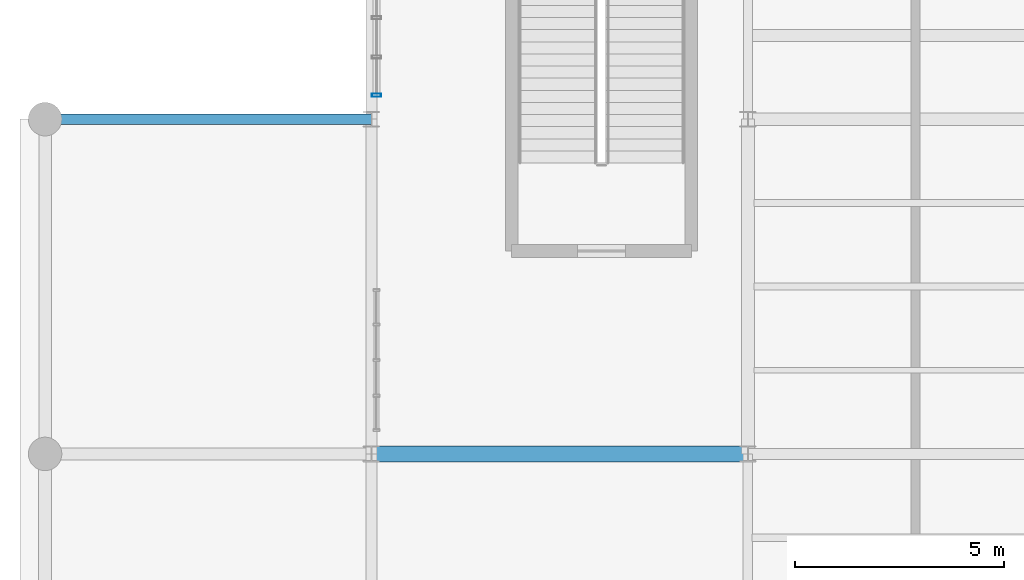
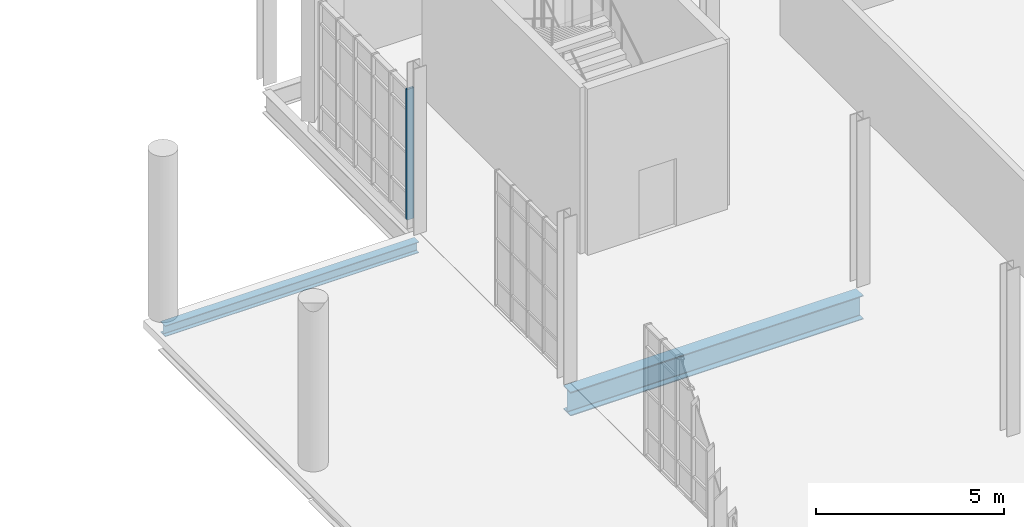
# One storey, part 18 of 189: 2 beams, 1 member, 1 element without a shape of its own.
"""IFC4 building model written with IfcOpenShell, lengths in metres."""

from ifc_helpers import new_model, si_unit, direction, frame, origin, origin_2d, place, context, subcontext, project, spatial, hollow_rectangle, i_section, extrude, material, layer, layer_set, material_profile, profile_set, type_object, element, aggregate, save


model = new_model("IFC4")

# Units and contexts
model_context = context("Model", 3, precision=1e-05, world=origin(), true_north=direction((0.0, 1.0)))
body_context = subcontext(model_context, "Body", "Model", "MODEL_VIEW")
ifc_project = project(units=[si_unit("LENGTHUNIT", "METRE"), si_unit("AREAUNIT", "SQUARE_METRE"), si_unit("VOLUMEUNIT", "CUBIC_METRE"), si_unit("PLANEANGLEUNIT", "RADIAN"), si_unit("MASSUNIT", "GRAM", prefix="KILO"), si_unit("THERMODYNAMICTEMPERATUREUNIT", "KELVIN"), si_unit("POWERUNIT", "WATT")], contexts=[model_context])

# Site, building, storey
site_placement = place(None, origin())
site = spatial("IfcSite", under=ifc_project, at=site_placement, CompositionType="ELEMENT")
building_placement = place(site_placement, origin())
building = spatial("IfcBuilding", under=site, at=building_placement, Name="Zelmaris Science Centre", CompositionType="ELEMENT")
storey_placement = place(building_placement, origin())
storey = spatial("IfcBuildingStorey", under=building, at=storey_placement, Name="L00", CompositionType="ELEMENT", Elevation=0.0)

# Curtain wall, member
ifc_material_1 = material(Name="Anodised architectural aluminium 6063-T6", Category="aluminium")
ifc_layer = layer(ifc_material_1, 0.199951171875, Name="Anodised architectural aluminium 6063-T6")
ifc_layer_set = layer_set([ifc_layer], Name="Anodised architectural aluminium 6063-T6")
curtain_wall_type = type_object("IfcCurtainWallType", Name="Curtain Wall CW-02", PredefinedType="USERDEFINED", material=ifc_layer_set)
curtain_wall_placement = place(storey_placement, origin())
curtain_wall = element("IfcCurtainWall", 1, at=curtain_wall_placement, inside=storey, type_object=curtain_wall_type, Name="L00 Unitised curtain wall 6", ObjectType="GLAZED CURTAIN WALL", PredefinedType="USERDEFINED")
ifc_material_profile_1 = material_profile(ifc_material_1, hollow_rectangle(XDim=0.074951171875, YDim=0.219970703125, WallThickness=0.0048828125, at=origin_2d()), Name="ALU-MUL-75X220")
ifc_profile_set_1 = profile_set([ifc_material_profile_1], Name="Anodised architectural aluminium 6063-T6")
member_type = type_object("IfcMemberType", Name="ALU-MUL-75X220", PredefinedType="MULLION", material=ifc_profile_set_1)
member_placement = place(storey_placement, frame((9.1201171875, 32.573486328125, -0.014892578125), z_axis=(0.0, 0.0, 1.0), x_axis=(0.0, 1.0, 0.0)))
member = element("IfcMember", 2, at=member_placement, type_object=member_type, Name="CW-02 mullion 1", PredefinedType="MULLION", context=body_context, shape_type="SweptSolid", body=[
    extrude(hollow_rectangle(XDim=0.074951171875, YDim=0.219970703125, WallThickness=0.0048828125, at=origin_2d()), origin(), (0.0, 0.0, 1.0), 4.240966796875),
])
aggregate(curtain_wall, [member])

# Beams
ifc_material_2 = material(Name="Steel ASTM A992 Grade 50", Category="steel")
ifc_material_profile_2 = material_profile(ifc_material_2, i_section(OverallWidth=0.381103515625, OverallDepth=0.777099609375, WebThickness=0.01806640625, FlangeThickness=0.030029296875, FilletRadius=0.01904296875, at=origin_2d()), Name="W30X191")
ifc_profile_set_2 = profile_set([ifc_material_profile_2], Name="Steel ASTM A992 Grade 50")
beam_type_1 = type_object("IfcBeamType", Name="Beam G-31 W30X191", PredefinedType="BEAM", material=ifc_profile_set_2)
beam_1_placement = place(storey_placement, frame((9.0, 24.0, -0.698486328125), z_axis=(1.0, 0.0, 0.0), x_axis=(0.0, 1.0, 0.0)))
element("IfcBeam", 3, at=beam_1_placement, inside=storey, type_object=beam_type_1, Name="L00 East-west girder 113", PredefinedType="BEAM", context=body_context, shape_type="SweptSolid", body=[
    extrude(i_section(OverallWidth=0.381103515625, OverallDepth=0.777099609375, WebThickness=0.01806640625, FlangeThickness=0.030029296875, FilletRadius=0.01904296875, at=origin_2d()), origin(), (0.0, 0.0, 1.0), 9.0),
])
ifc_material_profile_3 = material_profile(ifc_material_2, i_section(OverallWidth=0.25390625, OverallDepth=0.35595703125, WebThickness=0.010498046875, FlangeThickness=0.018310546875, FilletRadius=0.014892578125, at=origin_2d()), Name="W14X68")
ifc_profile_set_3 = profile_set([ifc_material_profile_3], Name="Steel ASTM A992 Grade 50")
beam_type_2 = type_object("IfcBeamType", Name="Beam G-41 W14X68", PredefinedType="BEAM", material=ifc_profile_set_3)
beam_2_placement = place(storey_placement, frame((1.199951171875, 32.0, -0.488037109375), z_axis=(1.0, 0.0, 0.0), x_axis=(0.0, 1.0, 0.0)))
element("IfcBeam", 4, at=beam_2_placement, inside=storey, type_object=beam_type_2, Name="L00 East-west girder 123", PredefinedType="BEAM", context=body_context, shape_type="SweptSolid", body=[
    extrude(i_section(OverallWidth=0.25390625, OverallDepth=0.35595703125, WebThickness=0.010498046875, FlangeThickness=0.018310546875, FilletRadius=0.014892578125, at=origin_2d()), origin(), (0.0, 0.0, 1.0), 7.800048828125),
])

save(model, "model.ifc")
